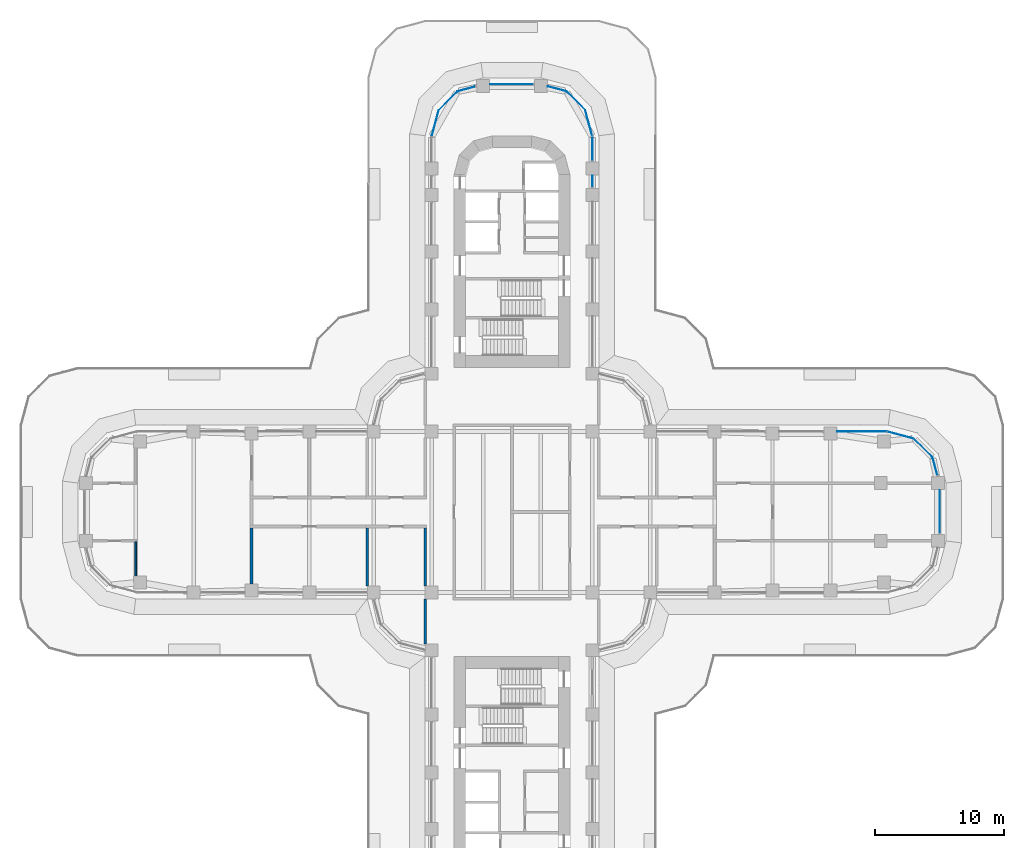
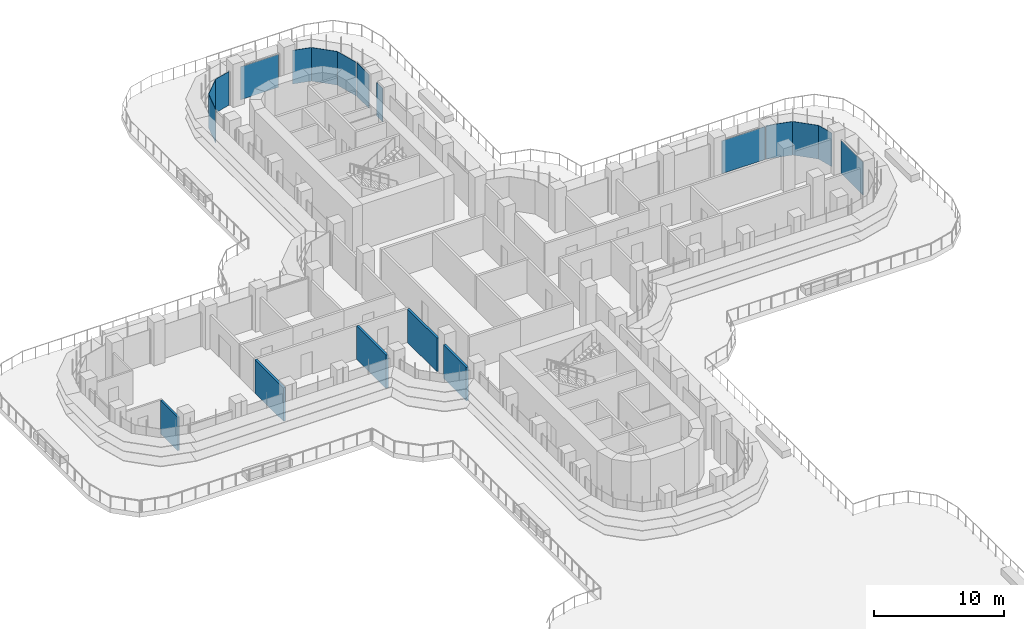
# One storey, part 16 of 26: 14 plates, 5 walls, 13 elements without a shape of their own.
"""IFC4 building model written with IfcOpenShell, lengths in metres."""

from ifc_helpers import new_model, si_unit, direction, frame, frame_2d, origin, place, context, subcontext, project, spatial, polyline, rectangle, outline, extrude, source, transform, mapped, material, layer, layer_set, type_object, element, aggregate, save


model = new_model("IFC4")

# Units and contexts
model_context = context("Model", 3, precision=1e-05, world=origin(), true_north=direction((0.0, 1.0)))
body_context = subcontext(model_context, "Body", "Model", "MODEL_VIEW")
ifc_project = project(units=[si_unit("LENGTHUNIT", "METRE"), si_unit("AREAUNIT", "SQUARE_METRE"), si_unit("VOLUMEUNIT", "CUBIC_METRE"), si_unit("PLANEANGLEUNIT", "RADIAN"), si_unit("MASSUNIT", "GRAM", prefix="KILO")], contexts=[model_context])

# Site, building, storey
site_placement = place(None, origin())
site = spatial("IfcSite", under=ifc_project, at=site_placement, CompositionType="ELEMENT")
building_placement = place(site_placement, origin())
building = spatial("IfcBuilding", under=site, at=building_placement, Name="Zarbagh Exchange Tower", CompositionType="ELEMENT")
storey_placement = place(building_placement, frame((0.0, 0.0, 27.0)))
storey = spatial("IfcBuildingStorey", under=building, at=storey_placement, Name="L05", CompositionType="ELEMENT", Elevation=27.0)

# Curtain wall, plate
ifc_material_1 = material(Name="Anodised aluminium frame and glazing", Category="aluminium")
curtain_wall_type = type_object("IfcCurtainWallType", Name="CWA Ribbon glazing, lower zones", PredefinedType="NOTDEFINED", material=ifc_material_1)
curtain_wall_1_placement = place(storey_placement, origin())
curtain_wall_1 = element("IfcCurtainWall", 1, at=curtain_wall_1_placement, inside=storey, type_object=curtain_wall_type, Name="CWA13 curtain wall", PredefinedType="NOTDEFINED")
ifc_material_2 = material(Name="Low-e double glazed unit, 6+12+6 mm")
ifc_layer_1 = layer(ifc_material_2, 0.028076171875)
ifc_layer_set_1 = layer_set([ifc_layer_1], Name="PAA Glazing panel, Low-e double glazed unit, 6+12+6 mm")
plate_type = type_object("IfcPlateType", Name="PAA Glazing panel, Low-e double glazed unit, 6+12+6 mm", PredefinedType="CURTAIN_PANEL", material=ifc_layer_set_1)
shared_shape_1 = source(origin(), body_context, "Body", "SweptSolid", [
    extrude(outline(polyline([(0.0, -0.013916015625), (1.4423828125, -0.013916015625), (1.4423828125, 0.013916015625), (0.0, 0.013916015625), (0.0, -0.013916015625)])), origin(), (0.0, 0.0, 1.0), 3.14990234375),
])
placement = place(storey_placement, origin())
plate_1 = element("IfcPlate", 2, at=placement, type_object=plate_type, Name="CWA13 glazing panel 1.1", PredefinedType="CURTAIN_PANEL", context=body_context, shape_type="MappedRepresentation", body=[
    mapped(shared_shape_1, transform((33.072021484375, 2.847900390625, 0.0), x_axis=(-0.258824779902, 0.965924289636, 0.0), y_axis=(-0.965924289636, -0.258824779902, 0.0), z_axis=(0.0, 0.0, 1.0))),
])
aggregate(curtain_wall_1, [plate_1])

curtain_wall_2_placement = place(storey_placement, origin())
curtain_wall_2 = element("IfcCurtainWall", 3, at=curtain_wall_2_placement, inside=storey, type_object=curtain_wall_type, Name="CWA25 curtain wall", PredefinedType="NOTDEFINED")
plate_2 = element("IfcPlate", 4, at=placement, type_object=plate_type, Name="CWA25 glazing panel 1.1", PredefinedType="CURTAIN_PANEL", context=body_context, shape_type="MappedRepresentation", body=[
    mapped(shared_shape_1, transform((-2.847900390625, 33.072021484375, 0.0), x_axis=(-0.965924289636, -0.258824779902, 0.0), y_axis=(0.258824779902, -0.965924289636, 0.0), z_axis=(0.0, 0.0, 1.0))),
])
aggregate(curtain_wall_2, [plate_2])

curtain_wall_3_placement = place(storey_placement, origin())
curtain_wall_3 = element("IfcCurtainWall", 5, at=curtain_wall_3_placement, inside=storey, type_object=curtain_wall_type, Name="CWA14 curtain wall", PredefinedType="NOTDEFINED")
shared_shape_2 = source(origin(), body_context, "Body", "SweptSolid", [
    extrude(outline(polyline([(0.0, -0.013916015625), (2.061279296875, -0.013916015625), (2.061279296875, 0.013916015625), (0.0, 0.013916015625), (0.0, -0.013916015625)])), origin(), (0.0, 0.0, 1.0), 3.14990234375),
])
plate_3 = element("IfcPlate", 6, at=placement, type_object=plate_type, Name="CWA14 glazing panel 1.1", PredefinedType="CURTAIN_PANEL", context=body_context, shape_type="MappedRepresentation", body=[
    mapped(shared_shape_2, transform((32.69873046875, 4.2412109375, 0.0), x_axis=(-0.707106781187, 0.707106781187, 0.0), y_axis=(-0.707106781187, -0.707106781187, 0.0), z_axis=(0.0, 0.0, 1.0))),
])
aggregate(curtain_wall_3, [plate_3])

curtain_wall_4_placement = place(storey_placement, origin())
curtain_wall_4 = element("IfcCurtainWall", 7, at=curtain_wall_4_placement, inside=storey, type_object=curtain_wall_type, Name="CWA22 curtain wall", PredefinedType="NOTDEFINED")
plate_4 = element("IfcPlate", 8, at=placement, type_object=plate_type, Name="CWA22 glazing panel 1.1", PredefinedType="CURTAIN_PANEL", context=body_context, shape_type="MappedRepresentation", body=[
    mapped(shared_shape_2, transform((5.69873046875, 31.2412109375, 0.0), x_axis=(-0.707106781187, 0.707106781187, 0.0), y_axis=(-0.707106781187, -0.707106781187, 0.0), z_axis=(0.0, 0.0, 1.0))),
])
aggregate(curtain_wall_4, [plate_4])

curtain_wall_5_placement = place(storey_placement, origin())
curtain_wall_5 = element("IfcCurtainWall", 9, at=curtain_wall_5_placement, inside=storey, type_object=curtain_wall_type, Name="CWA26 curtain wall", PredefinedType="NOTDEFINED")
plate_5 = element("IfcPlate", 10, at=placement, type_object=plate_type, Name="CWA26 glazing panel 1.1", PredefinedType="CURTAIN_PANEL", context=body_context, shape_type="MappedRepresentation", body=[
    mapped(shared_shape_2, transform((-4.2412109375, 32.69873046875, 0.0), x_axis=(-0.707106781187, -0.707106781187, 0.0), y_axis=(0.707106781187, -0.707106781187, 0.0), z_axis=(0.0, 0.0, 1.0))),
])
aggregate(curtain_wall_5, [plate_5])

curtain_wall_6_placement = place(storey_placement, origin())
curtain_wall_6 = element("IfcCurtainWall", 11, at=curtain_wall_6_placement, inside=storey, type_object=curtain_wall_type, Name="CWA15 curtain wall", PredefinedType="NOTDEFINED")
shared_shape_3 = source(origin(), body_context, "Body", "SweptSolid", [
    extrude(outline(polyline([(0.0, -0.013916015625), (2.129638671875, -0.013916015625), (2.129638671875, 0.013916015625), (0.0, 0.013916015625), (0.0, -0.013916015625)])), origin(), (0.0, 0.0, 1.0), 3.14990234375),
])
plate_6 = element("IfcPlate", 12, at=placement, type_object=plate_type, Name="CWA15 glazing panel 1.1", PredefinedType="CURTAIN_PANEL", context=body_context, shape_type="MappedRepresentation", body=[
    mapped(shared_shape_3, transform((31.2412109375, 5.69873046875, 0.0), x_axis=(-0.965924289636, 0.258824779902, 0.0), y_axis=(-0.258824779902, -0.965924289636, 0.0), z_axis=(0.0, 0.0, 1.0))),
])
aggregate(curtain_wall_6, [plate_6])

curtain_wall_7_placement = place(storey_placement, origin())
curtain_wall_7 = element("IfcCurtainWall", 13, at=curtain_wall_7_placement, inside=storey, type_object=curtain_wall_type, Name="CWA27 curtain wall", PredefinedType="NOTDEFINED")
plate_7 = element("IfcPlate", 14, at=placement, type_object=plate_type, Name="CWA27 glazing panel 1.1", PredefinedType="CURTAIN_PANEL", context=body_context, shape_type="MappedRepresentation", body=[
    mapped(shared_shape_3, transform((-5.69873046875, 31.2412109375, 0.0), x_axis=(-0.258824779902, -0.965924289636, 0.0), y_axis=(0.965924289636, -0.258824779902, 0.0), z_axis=(0.0, 0.0, 1.0))),
])
aggregate(curtain_wall_7, [plate_7])

curtain_wall_8_placement = place(storey_placement, origin())
curtain_wall_8 = element("IfcCurtainWall", 15, at=curtain_wall_8_placement, inside=storey, type_object=curtain_wall_type, Name="CWA21 curtain wall", PredefinedType="NOTDEFINED")
shared_shape_4 = source(origin(), body_context, "Body", "SweptSolid", [
    extrude(outline(polyline([(0.0, -0.013916015625), (2.069580078125, -0.013916015625), (2.069580078125, 0.013916015625), (0.0, 0.013916015625), (0.0, -0.013916015625)])), origin(), (0.0, 0.0, 1.0), 3.14990234375),
])
plate_8 = element("IfcPlate", 16, at=placement, type_object=plate_type, Name="CWA21 glazing panel 1.1", PredefinedType="CURTAIN_PANEL", context=body_context, shape_type="MappedRepresentation", body=[
    mapped(shared_shape_4, transform((6.234375, 29.2421875, 0.0), x_axis=(-0.258824779902, 0.965924289636, 0.0), y_axis=(-0.965924289636, -0.258824779902, 0.0), z_axis=(0.0, 0.0, 1.0))),
])
aggregate(curtain_wall_8, [plate_8])

curtain_wall_9_placement = place(storey_placement, origin())
curtain_wall_9 = element("IfcCurtainWall", 17, at=curtain_wall_9_placement, inside=storey, type_object=curtain_wall_type, Name="CWA23 curtain wall", PredefinedType="NOTDEFINED")
shared_shape_5 = source(origin(), body_context, "Body", "SweptSolid", [
    extrude(outline(polyline([(0.0, -0.013916015625), (1.50244140625, -0.013916015625), (1.50244140625, 0.013916015625), (0.0, 0.013916015625), (0.0, -0.013916015625)])), origin(), (0.0, 0.0, 1.0), 3.14990234375),
])
plate_9 = element("IfcPlate", 18, at=placement, type_object=plate_type, Name="CWA23 glazing panel 1.1", PredefinedType="CURTAIN_PANEL", context=body_context, shape_type="MappedRepresentation", body=[
    mapped(shared_shape_5, transform((4.2412109375, 32.69873046875, 0.0), x_axis=(-0.965924289636, 0.258824779902, 0.0), y_axis=(-0.258824779902, -0.965924289636, 0.0), z_axis=(0.0, 0.0, 1.0))),
])
aggregate(curtain_wall_9, [plate_9])

curtain_wall_10_placement = place(storey_placement, origin())
curtain_wall_10 = element("IfcCurtainWall", 19, at=curtain_wall_10_placement, inside=storey, type_object=curtain_wall_type, Name="CWA12 curtain wall", PredefinedType="NOTDEFINED")
shared_shape_6 = source(origin(), body_context, "Body", "SweptSolid", [
    extrude(outline(polyline([(0.0, -0.013916015625), (3.360107421875, -0.013916015625), (3.360107421875, 0.013916015625), (0.0, 0.013916015625), (0.0, -0.013916015625)])), origin(), (0.0, 0.0, 1.0), 3.090087890625),
])
plate_10 = element("IfcPlate", 20, at=placement, type_object=plate_type, Name="CWA12 glazing panel 1.1", PredefinedType="CURTAIN_PANEL", context=body_context, shape_type="MappedRepresentation", body=[
    mapped(shared_shape_6, transform((33.25, -1.64990234375, 0.0), x_axis=(0.0, 1.0, 0.0), y_axis=(-1.0, 0.0, 0.0), z_axis=(0.0, 0.0, 1.0))),
])
aggregate(curtain_wall_10, [plate_10])

curtain_wall_11_placement = place(storey_placement, origin())
curtain_wall_11 = element("IfcCurtainWall", 21, at=curtain_wall_11_placement, inside=storey, type_object=curtain_wall_type, Name="CWA24 curtain wall", PredefinedType="NOTDEFINED")
plate_11 = element("IfcPlate", 22, at=placement, type_object=plate_type, Name="CWA24 glazing panel 1.1", PredefinedType="CURTAIN_PANEL", context=body_context, shape_type="MappedRepresentation", body=[
    mapped(shared_shape_6, transform((1.64990234375, 33.25, 0.0), x_axis=(-1.0, 0.0, 0.0), y_axis=(0.0, -1.0, 0.0), z_axis=(0.0, 0.0, 1.0))),
])
aggregate(curtain_wall_11, [plate_11])

curtain_wall_12_placement = place(storey_placement, origin())
curtain_wall_12 = element("IfcCurtainWall", 23, at=curtain_wall_12_placement, inside=storey, type_object=curtain_wall_type, Name="CWA16 curtain wall", PredefinedType="NOTDEFINED")
shared_shape_7 = source(origin(), body_context, "Body", "SweptSolid", [
    extrude(outline(polyline([(0.0, -0.013916015625), (3.834228515625, -0.013916015625), (3.834228515625, 0.013916015625), (0.0, 0.013916015625), (0.0, -0.013916015625)])), origin(), (0.0, 0.0, 1.0), 3.090087890625),
])
plate_12 = element("IfcPlate", 24, at=placement, type_object=plate_type, Name="CWA16 glazing panel 1.1", PredefinedType="CURTAIN_PANEL", context=body_context, shape_type="MappedRepresentation", body=[
    mapped(shared_shape_7, transform((29.124267578125, 6.25, 0.0), x_axis=(-1.0, 0.0, 0.0), y_axis=(0.0, -1.0, 0.0), z_axis=(0.0, 0.0, 1.0))),
])
aggregate(curtain_wall_12, [plate_12])

# Curtain wall, plates
curtain_wall_13_placement = place(storey_placement, origin())
curtain_wall_13 = element("IfcCurtainWall", 25, at=curtain_wall_13_placement, inside=storey, type_object=curtain_wall_type, Name="CWA20 curtain wall", PredefinedType="NOTDEFINED")
shared_shape_8 = source(origin(), body_context, "Body", "SweptSolid", [
    extrude(outline(polyline([(0.0, -0.013916015625), (0.909912109375, -0.013916015625), (0.909912109375, 0.013916015625), (0.0, 0.013916015625), (0.0, -0.013916015625)])), origin(), (0.0, 0.0, 1.0), 3.14990234375),
])
plate_13 = element("IfcPlate", 26, at=placement, type_object=plate_type, Name="CWA20 glazing panel 4.1", PredefinedType="CURTAIN_PANEL", context=body_context, shape_type="MappedRepresentation", body=[
    mapped(shared_shape_8, transform((6.25, 25.25, 0.0), x_axis=(0.0, 1.0, 0.0), y_axis=(-1.0, 0.0, 0.0), z_axis=(0.0, 0.0, 1.0))),
])
shared_shape_9 = source(origin(), body_context, "Body", "SweptSolid", [
    extrude(outline(polyline([(0.0, -0.013916015625), (1.884033203125, -0.013916015625), (1.884033203125, 0.013916015625), (0.0, 0.013916015625), (0.0, -0.013916015625)])), origin(), (0.0, 0.0, 1.0), 3.14990234375),
])
plate_14 = element("IfcPlate", 27, at=placement, type_object=plate_type, Name="CWA20 glazing panel 5.1", PredefinedType="CURTAIN_PANEL", context=body_context, shape_type="MappedRepresentation", body=[
    mapped(shared_shape_9, transform((6.25, 27.300048828125, 0.0), x_axis=(0.0, 1.0, 0.0), y_axis=(-1.0, 0.0, 0.0), z_axis=(0.0, 0.0, 1.0))),
])
aggregate(curtain_wall_13, [plate_13, plate_14])

# Walls
ifc_material_3 = material(Name="Plasterboard partition")
ifc_layer_2 = layer(ifc_material_3, 0.14990234375)
ifc_layer_set_2 = layer_set([ifc_layer_2], Name="PARTITION 150")
wall_type_1 = type_object("IfcWallType", Name="PARTITION 150", PredefinedType="PARTITIONING", material=ifc_layer_set_2)
wall_1_placement = place(storey_placement, frame((-29.25, -4.97509765625, 0.0), z_axis=(0.0, 0.0, 1.0), x_axis=(0.0, 1.0, 0.0)))
element("IfcWall", 28, at=wall_1_placement, inside=storey, type_object=wall_type_1, Name="Partition W-149", PredefinedType="PARTITIONING", context=body_context, shape_type="SweptSolid", body=[
    extrude(rectangle(XDim=2.650146484375, YDim=0.14990234375, at=frame_2d((1.3251953125, 0.0))), origin(), (0.0, 0.0, 1.0), 3.130615234375),
])
ifc_material_4 = material(Name="Fire-rated plasterboard partition")
ifc_layer_3 = layer(ifc_material_4, 0.199951171875)
ifc_layer_set_3 = layer_set([ifc_layer_3], Name="RATED PARTITION 200")
wall_type_2 = type_object("IfcWallType", Name="RATED PARTITION 200", PredefinedType="PARTITIONING", material=ifc_layer_set_3)
wall_2_placement = place(storey_placement, frame((-6.75, -10.25, 0.0), z_axis=(0.0, 0.0, 1.0), x_axis=(0.0, 1.0, 0.0)))
element("IfcWall", 29, at=wall_2_placement, inside=storey, type_object=wall_type_2, Name="Partition W-104", PredefinedType="PARTITIONING", context=body_context, shape_type="SweptSolid", body=[
    extrude(rectangle(XDim=3.5, YDim=0.199951171875, at=frame_2d((1.75, 0.0))), origin(), (0.0, 0.0, 1.0), 3.130615234375),
])
for number, where, z_axis, x_axis, name in (
    (30, (-6.75, -5.75, 0.0), (0.0, 0.0, 1.0), (0.0, 1.0, 0.0), "Partition W-105"),
    (31, (-11.25, -5.75, 0.0), (0.0, 0.0, 1.0), (0.0, 1.0, 0.0), "Partition W-143"),
):
    element("IfcWall", number, at=place(storey_placement, frame(where, z_axis=z_axis, x_axis=x_axis)), inside=storey, type_object=wall_type_2, Name=name, PredefinedType="PARTITIONING", context=body_context, shape_type="SweptSolid", body=[
        extrude(rectangle(XDim=4.52490234375, YDim=0.199951171875, at=frame_2d((2.262451171875, 0.0))), origin(), (0.0, 0.0, 1.0), 3.130615234375),
    ])
wall_3_placement = place(storey_placement, frame((-20.25, -5.610107421875, 0.0), z_axis=(0.0, 0.0, 1.0), x_axis=(0.0, 1.0, 0.0)))
element("IfcWall", 32, at=wall_3_placement, inside=storey, type_object=wall_type_2, Name="Partition W-146", PredefinedType="PARTITIONING", context=body_context, shape_type="SweptSolid", body=[
    extrude(rectangle(XDim=4.385009765625, YDim=0.199951171875, at=frame_2d((2.1923828125, 0.0))), origin(), (0.0, 0.0, 1.0), 3.130615234375),
])

save(model, "model.ifc")
